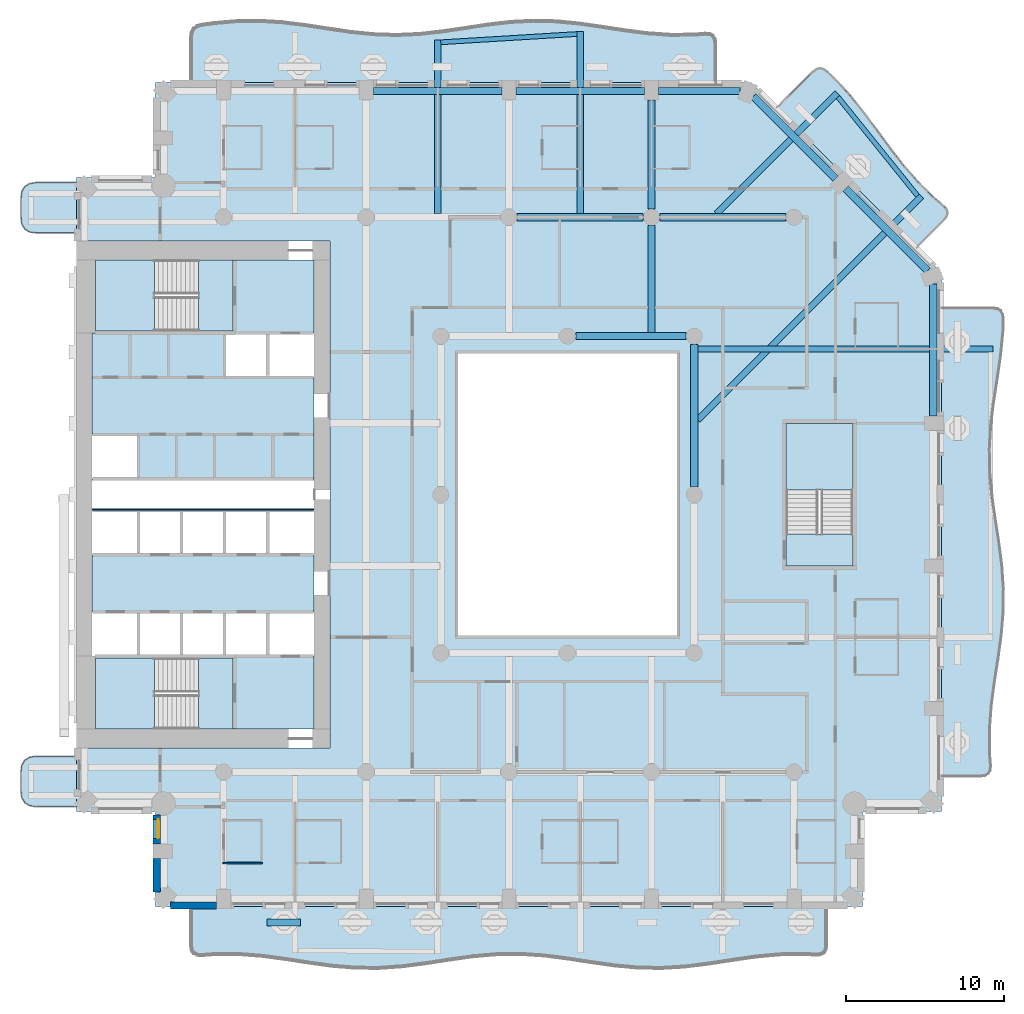
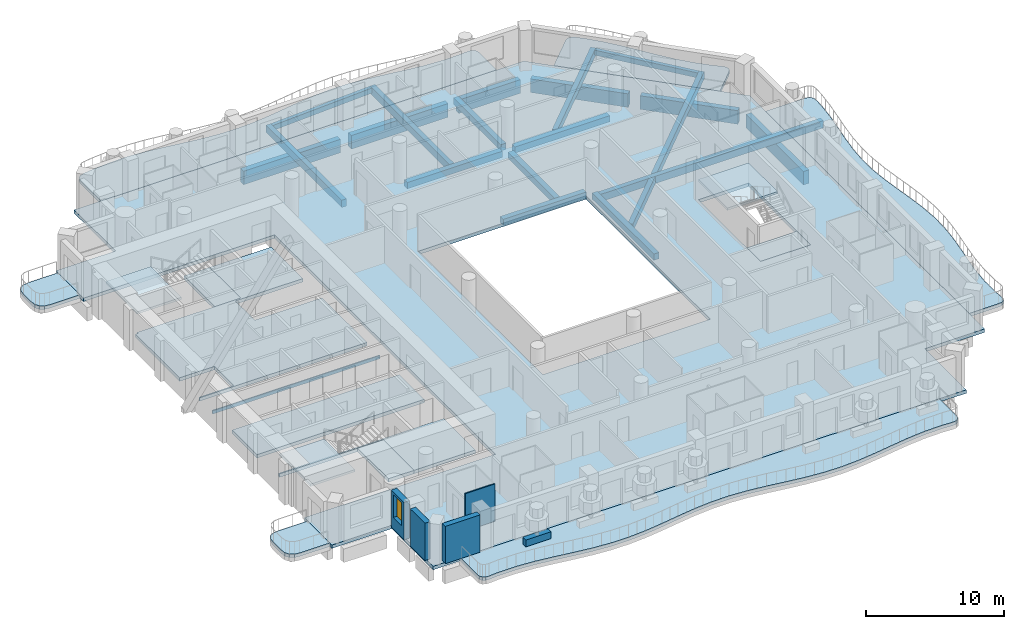
# One storey, part 2 of 21: 19 beams, 17 slabs, 5 walls, 1 window, 1 opening, 3 elements without a shape of their own.
"""IFC4 building model written with IfcOpenShell, lengths in metres."""

from ifc_helpers import new_model, si_unit, direction, frame, frame_2d, origin, origin_2d, place, context, subcontext, project, spatial, polyline, rectangle, outline, extrude, material, layer, layer_set, material_profile, profile_set, type_object, element, fill, aggregate, save


model = new_model("IFC4")

# Units and contexts
model_context = context("Model", 3, precision=1e-05, world=origin(), true_north=direction((0.0, 1.0)))
body_context = subcontext(model_context, "Body", "Model", "MODEL_VIEW")
ifc_project = project(units=[si_unit("LENGTHUNIT", "METRE"), si_unit("AREAUNIT", "SQUARE_METRE"), si_unit("VOLUMEUNIT", "CUBIC_METRE"), si_unit("PLANEANGLEUNIT", "RADIAN"), si_unit("MASSUNIT", "GRAM", prefix="KILO")], contexts=[model_context])

# Site, building, storey
site_placement = place(None, origin())
site = spatial("IfcSite", under=ifc_project, at=site_placement, CompositionType="ELEMENT")
building_placement = place(site_placement, origin())
building = spatial("IfcBuilding", under=site, at=building_placement, Name="Cypress Arch Tower", CompositionType="ELEMENT")
storey_placement = place(building_placement, frame((0.0, 0.0, 127.5)))
storey = spatial("IfcBuildingStorey", under=building, at=storey_placement, Name="L27", CompositionType="ELEMENT", Elevation=127.5)

# Beams
ifc_material_1 = material(Name="Concrete C50/60", Category="concrete")
ifc_material_profile_1 = material_profile(ifc_material_1, rectangle(XDim=0.300048828125, YDim=0.449951171875, at=origin_2d()), Name="RC 300x450")
ifc_profile_set_1 = profile_set([ifc_material_profile_1], Name="Concrete C50/60")
beam_type_1 = type_object("IfcBeamType", Name="Balcony edge beam RC 300x450 Concrete C50/60", PredefinedType="BEAM", material=ifc_profile_set_1)
beam_1_placement = place(storey_placement, frame((23.08642578125, 18.85693359375, -0.52490234375), z_axis=(-0.627602251631, 0.77853414424, 0.0), x_axis=(-0.77853414424, -0.627602251631, 0.0)))
element("IfcBeam", 1, at=beam_1_placement, inside=storey, type_object=beam_type_1, Name="Balcony edge beam L27 A07", PredefinedType="BEAM", context=body_context, shape_type="SweptSolid", body=[
    extrude(rectangle(XDim=0.300048828125, YDim=0.449951171875, at=origin_2d()), origin(), (0.0, 0.0, 1.0), 8.0068359375),
])
beam_2_placement = place(storey_placement, frame((1.60009765625, 29.06298828125, -0.52490234375), z_axis=(-0.998166629553, -0.060525859329, 0.0), x_axis=(0.060525859329, -0.998166629553, 0.0)))
element("IfcBeam", 2, at=beam_2_placement, inside=storey, type_object=beam_type_1, Name="Balcony edge beam L27 A08", PredefinedType="BEAM", context=body_context, shape_type="SweptSolid", body=[
    extrude(rectangle(XDim=0.300048828125, YDim=0.449951171875, at=origin_2d()), origin(), (0.0, 0.0, 1.0), 8.615966796875),
])
ifc_material_2 = material(Name="Concrete C50/60", Category="concrete")
ifc_material_profile_2 = material_profile(ifc_material_2, rectangle(XDim=0.39990234375, YDim=0.64990234375, at=origin_2d()), Name="RC 400x650")
ifc_profile_set_2 = profile_set([ifc_material_profile_2], Name="Concrete C50/60")
beam_type_2 = type_object("IfcBeamType", Name="Cantilever beam RC 400x650 Concrete C50/60", PredefinedType="BEAM", material=ifc_profile_set_2)
beam_3_placement = place(storey_placement, frame((9.22509765625, 9.18798828125, -0.625), z_axis=(1.0, 0.0, 0.0), x_axis=(0.0, 1.0, 0.0)))
element("IfcBeam", 3, at=beam_3_placement, inside=storey, type_object=beam_type_2, Name="Cantilever beam L27 A06 2", PredefinedType="BEAM", context=body_context, shape_type="SweptSolid", body=[
    extrude(rectangle(XDim=0.39990234375, YDim=0.64990234375, at=origin_2d()), origin(), (0.0, 0.0, 1.0), 18.62744140625),
])
beam_4_placement = place(storey_placement, frame((9.22509765625, 4.712890625, -0.625), z_axis=(0.707100663208, 0.707112899112, 0.0), x_axis=(-0.707112899112, 0.707100663208, 0.0)))
element("IfcBeam", 4, at=beam_4_placement, inside=storey, type_object=beam_type_2, Name="Cantilever beam L27 A07 1", PredefinedType="BEAM", context=body_context, shape_type="SweptSolid", body=[
    extrude(rectangle(XDim=0.39990234375, YDim=0.64990234375, at=origin_2d()), origin(), (0.0, 0.0, 1.0), 19.952880859375),
])
beam_5_placement = place(storey_placement, frame((10.412841796875, 17.72509765625, -0.625), z_axis=(0.707118119295, 0.707095442897, 0.0), x_axis=(-0.707095442897, 0.707118119295, 0.0)))
element("IfcBeam", 5, at=beam_5_placement, inside=storey, type_object=beam_type_2, Name="Cantilever beam L27 A07 2", PredefinedType="BEAM", context=body_context, shape_type="SweptSolid", body=[
    extrude(rectangle(XDim=0.39990234375, YDim=0.64990234375, at=origin_2d()), origin(), (0.0, 0.0, 1.0), 10.766357421875),
])
beam_6_placement = place(storey_placement, frame((1.800048828125, 17.72509765625, -0.625), z_axis=(0.0, 1.0, 0.0), x_axis=(-1.0, 0.0, 0.0)))
element("IfcBeam", 6, at=beam_6_placement, inside=storey, type_object=beam_type_2, Name="Cantilever beam L27 A08 1", PredefinedType="BEAM", context=body_context, shape_type="SweptSolid", body=[
    extrude(rectangle(XDim=0.39990234375, YDim=0.64990234375, at=origin_2d()), origin(), (0.0, 0.0, 1.0), 11.488037109375),
])
beam_7_placement = place(storey_placement, frame((-7.199951171875, 17.72509765625, -0.625), z_axis=(0.0, 1.0, 0.0), x_axis=(-1.0, 0.0, 0.0)))
element("IfcBeam", 7, at=beam_7_placement, inside=storey, type_object=beam_type_2, Name="Cantilever beam L27 A08 2", PredefinedType="BEAM", context=body_context, shape_type="SweptSolid", body=[
    extrude(rectangle(XDim=0.39990234375, YDim=0.64990234375, at=origin_2d()), origin(), (0.0, 0.0, 1.0), 10.96630859375),
])
ifc_material_3 = material(Name="Concrete C50/60", Category="concrete")
ifc_material_profile_3 = material_profile(ifc_material_3, rectangle(XDim=0.449951171875, YDim=0.550048828125, at=origin_2d()), Name="RC 450x550")
ifc_profile_set_3 = profile_set([ifc_material_profile_3], Name="Concrete C50/60")
beam_type_3 = type_object("IfcBeamType", Name="Floor beam RC 450x550 Concrete C50/60", PredefinedType="BEAM", material=ifc_profile_set_3)
beam_8_placement = place(storey_placement, frame((9.0, 0.52490234375, -0.574951171875), z_axis=(0.0, 1.0, 0.0), x_axis=(-1.0, 0.0, 0.0)))
element("IfcBeam", 8, at=beam_8_placement, inside=storey, type_object=beam_type_3, Name="Floor beam L27 RB004", PredefinedType="BEAM", context=body_context, shape_type="SweptSolid", body=[
    extrude(rectangle(XDim=0.449951171875, YDim=0.550048828125, at=origin_2d()), origin(), (0.0, 0.0, 1.0), 8.9501953125),
])
beam_9_placement = place(storey_placement, frame((1.52490234375, 10.0, -0.574951171875), z_axis=(1.0, 0.0, 0.0), x_axis=(0.0, 1.0, 0.0)))
element("IfcBeam", 9, at=beam_9_placement, inside=storey, type_object=beam_type_3, Name="Floor beam L27 RB008", PredefinedType="BEAM", context=body_context, shape_type="SweptSolid", body=[
    extrude(rectangle(XDim=0.449951171875, YDim=0.550048828125, at=origin_2d()), origin(), (0.0, 0.0, 1.0), 6.9501953125),
])
for number, where, z_axis, x_axis, name in (
    (10, (-2.175048828125, 17.5, -0.574951171875), (1.0, 0.0, 0.0), (0.0, 1.0, 0.0), "Floor beam L27 FB017"),
    (11, (6.824951171875, 17.5, -0.574951171875), (1.0, 0.0, 0.0), (0.0, 1.0, 0.0), "Floor beam L27 FB018"),
):
    element("IfcBeam", number, at=place(storey_placement, frame(where, z_axis=z_axis, x_axis=x_axis)), inside=storey, type_object=beam_type_3, Name=name, PredefinedType="BEAM", context=body_context, shape_type="SweptSolid", body=[
        extrude(rectangle(XDim=0.449951171875, YDim=0.550048828125, at=origin_2d()), origin(), (0.0, 0.0, 1.0), 7.949951171875),
    ])
beam_10_placement = place(storey_placement, frame((6.300048828125, 10.22509765625, -0.574951171875), z_axis=(0.0, 1.0, 0.0), x_axis=(-1.0, 0.0, 0.0)))
element("IfcBeam", 12, at=beam_10_placement, inside=storey, type_object=beam_type_3, Name="Floor beam L27 FB032", PredefinedType="BEAM", context=body_context, shape_type="SweptSolid", body=[
    extrude(rectangle(XDim=0.449951171875, YDim=0.550048828125, at=origin_2d()), origin(), (0.0, 0.0, 1.0), 6.75),
])
beam_11_placement = place(storey_placement, frame((6.300048828125, 18.02490234375, -0.574951171875), z_axis=(0.0, 1.0, 0.0), x_axis=(-1.0, 0.0, 0.0)))
element("IfcBeam", 13, at=beam_11_placement, inside=storey, type_object=beam_type_3, Name="Floor beam L27 FB033", PredefinedType="BEAM", context=body_context, shape_type="SweptSolid", body=[
    extrude(rectangle(XDim=0.449951171875, YDim=0.550048828125, at=origin_2d()), origin(), (0.0, 0.0, 1.0), 6.875),
])
ifc_material_4 = material(Name="Concrete C50/60", Category="concrete")
ifc_material_profile_4 = material_profile(ifc_material_4, rectangle(XDim=0.449951171875, YDim=1.199951171875, at=origin_2d()), Name="RC 450x1200")
ifc_profile_set_4 = profile_set([ifc_material_profile_4], Name="Concrete C50/60")
beam_type_4 = type_object("IfcBeamType", Name="Spandrel beam RC 450x1200 Concrete C50/60", PredefinedType="SPANDREL", material=ifc_profile_set_4)
beam_12_placement = place(storey_placement, frame((24.074951171875, 4.949951171875, -1.550048828125), z_axis=(0.0, 1.0, 0.0), x_axis=(-1.0, 0.0, 0.0)))
element("IfcBeam", 14, at=beam_12_placement, inside=storey, type_object=beam_type_4, Name="Spandrel beam L27 BA06-3", PredefinedType="SPANDREL", context=body_context, shape_type="SweptSolid", body=[
    extrude(rectangle(XDim=0.449951171875, YDim=1.199951171875, at=origin_2d()), origin(), (0.0, 0.0, 1.0), 8.345458984375),
])
for number, where, z_axis, x_axis, name in (
    (15, (23.73046875, 14.126953125, -1.550048828125), (-0.707106781187, 0.707106781187, 0.0), (-0.707106781187, -0.707106781187, 0.0), "Spandrel beam L27 BA07-0"),
    (16, (17.91064453125, 19.947021484375, -1.550048828125), (-0.707106781187, 0.707106781187, 0.0), (-0.707106781187, -0.707106781187, 0.0), "Spandrel beam L27 BA07-1"),
):
    element("IfcBeam", number, at=place(storey_placement, frame(where, z_axis=z_axis, x_axis=x_axis)), inside=storey, type_object=beam_type_4, Name=name, PredefinedType="SPANDREL", context=body_context, shape_type="SweptSolid", body=[
        extrude(rectangle(XDim=0.449951171875, YDim=1.199951171875, at=origin_2d()), origin(), (0.0, 0.0, 1.0), 7.330810546875),
    ])
beam_13_placement = place(storey_placement, frame((11.8955078125, 25.47509765625, -1.550048828125), z_axis=(-1.0, 0.0, 0.0), x_axis=(0.0, -1.0, 0.0)))
element("IfcBeam", 17, at=beam_13_placement, inside=storey, type_object=beam_type_4, Name="Spandrel beam L27 BA08-0", PredefinedType="SPANDREL", context=body_context, shape_type="SweptSolid", body=[
    extrude(rectangle(XDim=0.449951171875, YDim=1.199951171875, at=origin_2d()), origin(), (0.0, 0.0, 1.0), 5.1455078125),
])
for number, where, z_axis, x_axis, name in (
    (18, (5.85009765625, 25.47509765625, -1.550048828125), (-1.0, 0.0, 0.0), (0.0, -1.0, 0.0), "Spandrel beam L27 BA08-1"),
    (19, (-3.14990234375, 25.47509765625, -1.550048828125), (-1.0, 0.0, 0.0), (0.0, -1.0, 0.0), "Spandrel beam L27 BA08-2"),
):
    element("IfcBeam", number, at=place(storey_placement, frame(where, z_axis=z_axis, x_axis=x_axis)), inside=storey, type_object=beam_type_4, Name=name, PredefinedType="SPANDREL", context=body_context, shape_type="SweptSolid", body=[
        extrude(rectangle(XDim=0.449951171875, YDim=1.199951171875, at=origin_2d()), origin(), (0.0, 0.0, 1.0), 8.10009765625),
    ])

# Slabs
ifc_material_5 = material(Name="Concrete C40/50", Category="concrete")
ifc_layer_1 = layer(ifc_material_5, 0.300048828125)
ifc_layer_set_1 = layer_set([ifc_layer_1], Name="Balcony slab BS300")
slab_type_1 = type_object("IfcSlabType", Name="Balcony slab BS300", PredefinedType="USERDEFINED", material=ifc_layer_set_1)
slab_1_placement = place(storey_placement, frame((0.0, 0.0, -0.300048828125)))
element("IfcSlab", 20, at=slab_1_placement, inside=storey, type_object=slab_type_1, Name="Balcony slab L27-A00W0", ObjectType="BALCONY SLAB", PredefinedType="USERDEFINED", context=body_context, shape_type="SweptSolid", body=[
    extrude(outline(polyline([(-30.0, 19.699951171875), (-32.5, 19.699951171875), (-32.9375, 19.637451171875), (-33.25, 19.449951171875), (-33.4375, 19.137451171875), (-33.5, 18.699951171875), (-33.5, 17.5), (-33.4375, 17.0625), (-33.25, 16.75), (-32.9375, 16.5625), (-32.5, 16.5), (-30.0, 16.5), (-30.0, 19.699951171875)])), origin(), (0.0, 0.0, 1.0), 0.300048828125),
])
slab_2_placement = place(storey_placement, frame((0.0, 0.0, -0.300048828125)))
element("IfcSlab", 21, at=slab_2_placement, inside=storey, type_object=slab_type_1, Name="Balcony slab L27-A00W1", ObjectType="BALCONY SLAB", PredefinedType="USERDEFINED", context=body_context, shape_type="SweptSolid", body=[
    extrude(outline(polyline([(-30.0, -16.5), (-32.5, -16.5), (-32.9375, -16.5625), (-33.25, -16.75), (-33.4375, -17.0625), (-33.5, -17.5), (-33.5, -18.699951171875), (-33.4375, -19.137451171875), (-33.25, -19.449951171875), (-32.9375, -19.637451171875), (-32.5, -19.699951171875), (-30.0, -19.699951171875), (-30.0, -16.5)])), origin(), (0.0, 0.0, 1.0), 0.300048828125),
])
slab_3_placement = place(storey_placement, frame((0.0, 0.0, -0.300048828125)))
element("IfcSlab", 22, at=slab_3_placement, inside=storey, type_object=slab_type_1, Name="Balcony slab L27-A03", ObjectType="BALCONY SLAB", PredefinedType="USERDEFINED", context=body_context, shape_type="SweptSolid", body=[
    extrude(outline(polyline([(-22.75, -26.0), (-22.75, -28.46142578125), (-22.708251953125, -28.75146484375), (-22.5830078125, -28.951171875), (-22.3740234375, -29.060546875), (-22.081787109375, -29.07958984375), (-21.264892578125, -29.015869140625), (-19.779541015625, -29.01416015625), (-18.29443359375, -29.126953125), (-16.809326171875, -29.324462890625), (-15.323974609375, -29.55517578125), (-13.8388671875, -29.758056640625), (-12.353759765625, -29.880126953125), (-10.868408203125, -29.88916015625), (-9.38330078125, -29.78271484375), (-7.898193359375, -29.5888671875), (-6.412841796875, -29.3583984375), (-4.927734375, -29.152099609375), (-3.442626953125, -29.024169921875), (-1.95751953125, -29.008056640625), (-0.47216796875, -29.108154296875), (1.012939453125, -29.298095703125), (2.498046875, -29.52783203125), (3.9833984375, -29.7373046875), (5.468505859375, -29.87109375), (6.95361328125, -29.894287109375), (8.43896484375, -29.80078125), (9.924072265625, -29.614990234375), (11.4091796875, -29.385986328125), (12.89453125, -29.173583984375), (14.379638671875, -29.033935546875), (15.86474609375, -29.003662109375), (16.681640625, -29.051513671875), (16.97412109375, -29.02685546875), (17.182861328125, -28.91357421875), (17.308349609375, -28.711669921875), (17.35009765625, -28.421142578125), (17.35009765625, -26.0), (-22.75, -26.0)])), origin(), (0.0, 0.0, 1.0), 0.300048828125),
])
slab_4_placement = place(storey_placement, frame((0.0, 0.0, -0.300048828125)))
element("IfcSlab", 23, at=slab_4_placement, inside=storey, type_object=slab_type_1, Name="Balcony slab L27-A06", ObjectType="BALCONY SLAB", PredefinedType="USERDEFINED", context=body_context, shape_type="SweptSolid", body=[
    extrude(outline(polyline([(24.60009765625, -17.75), (27.06591796875, -17.75), (27.35400390625, -17.70849609375), (27.552490234375, -17.583984375), (27.660888671875, -17.376708984375), (27.679931640625, -17.086181640625), (27.616455078125, -16.27490234375), (27.61328125, -14.800048828125), (27.7236328125, -13.324951171875), (27.91845703125, -11.85009765625), (28.1474609375, -10.375), (28.35107421875, -8.89990234375), (28.476806640625, -7.425048828125), (28.49169921875, -5.949951171875), (28.39208984375, -4.47509765625), (28.203857421875, -3.0), (27.975830078125, -1.52490234375), (27.766845703125, -0.050048828125), (27.63134765625, 1.425048828125), (27.6044921875, 2.89990234375), (27.69287109375, 4.375), (27.874267578125, 5.85009765625), (28.100830078125, 7.324951171875), (28.314453125, 8.800048828125), (28.45947265625, 10.27490234375), (28.480712890625, 11.086181640625), (28.447021484375, 11.376708984375), (28.327880859375, 11.583984375), (28.123779296875, 11.70849609375), (27.834228515625, 11.75), (24.60009765625, 11.75), (24.60009765625, -17.75)])), origin(), (0.0, 0.0, 1.0), 0.300048828125),
])
slab_5_placement = place(storey_placement, frame((0.0, 0.0, -0.300048828125)))
element("IfcSlab", 24, at=slab_5_placement, inside=storey, type_object=slab_type_1, Name="Balcony slab L27-A07", ObjectType="BALCONY SLAB", PredefinedType="USERDEFINED", context=body_context, shape_type="SweptSolid", body=[
    extrude(outline(polyline([(23.009033203125, 15.591064453125), (24.78125, 17.36328125), (24.945068359375, 17.58203125), (24.993896484375, 17.79638671875), (24.927978515625, 18.005859375), (24.7470703125, 18.2109375), (24.1650390625, 18.70654296875), (23.176025390625, 19.677001953125), (22.259033203125, 20.719482421875), (21.399169921875, 21.8193359375), (20.5693359375, 22.94921875), (19.735107421875, 24.074462890625), (18.86279296875, 25.16162109375), (17.927978515625, 26.1865234375), (17.373779296875, 26.7099609375), (17.147705078125, 26.869873046875), (16.92333984375, 26.9208984375), (16.700439453125, 26.863525390625), (16.479248046875, 26.697265625), (14.19091796875, 24.408935546875), (23.009033203125, 15.591064453125)])), origin(), (0.0, 0.0, 1.0), 0.300048828125),
])
slab_6_placement = place(storey_placement, frame((0.0, 0.0, -0.300048828125)))
element("IfcSlab", 25, at=slab_6_placement, inside=storey, type_object=slab_type_1, Name="Balcony slab L27-A08", ObjectType="BALCONY SLAB", PredefinedType="USERDEFINED", context=body_context, shape_type="SweptSolid", body=[
    extrude(outline(polyline([(10.35009765625, 26.0), (10.35009765625, 28.482177734375), (10.3095703125, 28.76318359375), (10.18798828125, 28.95654296875), (9.98583984375, 29.062255859375), (9.702392578125, 29.08056640625), (8.910888671875, 29.017822265625), (7.4716796875, 29.0107421875), (6.03271484375, 29.112060546875), (4.593505859375, 29.297119140625), (3.154296875, 29.519775390625), (1.71533203125, 29.72509765625), (0.276123046875, 29.862548828125), (-1.1630859375, 29.898193359375), (-2.602294921875, 29.822998046875), (-4.041259765625, 29.655517578125), (-5.48046875, 29.437255859375), (-6.919677734375, 29.222412109375), (-8.358642578125, 29.0634765625), (-9.7978515625, 29.000244140625), (-11.237060546875, 29.048095703125), (-12.676025390625, 29.1953125), (-14.115234375, 29.4052734375), (-15.554443359375, 29.62646484375), (-16.993408203125, 29.803955078125), (-18.4326171875, 29.89404296875), (-19.871826171875, 29.874267578125), (-21.310791015625, 29.749755859375), (-22.102294921875, 29.640625), (-22.3857421875, 29.560546875), (-22.588134765625, 29.41015625), (-22.70947265625, 29.18896484375), (-22.75, 28.8974609375), (-22.75, 26.0), (10.35009765625, 26.0)])), origin(), (0.0, 0.0, 1.0), 0.300048828125),
])
ifc_material_6 = material(Name="Concrete C40/50", Category="concrete")
ifc_layer_2 = layer(ifc_material_6, 0.300048828125)
ifc_layer_set_2 = layer_set([ifc_layer_2], Name="Core floor CF300")
slab_type_2 = type_object("IfcSlabType", Name="Core floor CF300", PredefinedType="FLOOR", material=ifc_layer_set_2)
slab_7_placement = place(storey_placement, frame((0.0, 0.0, -0.300048828125)))
element("IfcSlab", 26, at=slab_7_placement, inside=storey, type_object=slab_type_2, Name="Core floor", PredefinedType="FLOOR", context=body_context, shape_type="SweptSolid", body=[
    extrude(outline(polyline([(-20.125, -14.800048828125), (-15.0, -14.800048828125), (-15.0, -10.199951171875), (-17.919921875, -10.199951171875), (-20.639892578125, -10.199951171875), (-23.360107421875, -10.199951171875), (-26.080078125, -10.199951171875), (-28.800048828125, -10.199951171875), (-28.800048828125, -10.324951171875), (-22.27490234375, -10.324951171875), (-20.125, -10.324951171875), (-20.125, -14.800048828125)])), origin(), (0.0, 0.0, 1.0), 0.300048828125),
])
slab_8_placement = place(storey_placement, frame((0.0, 0.0, -0.300048828125)))
element("IfcSlab", 27, at=slab_8_placement, inside=storey, type_object=slab_type_2, Name="Core floor", PredefinedType="FLOOR", context=body_context, shape_type="SweptSolid", body=[
    extrude(outline(polyline([(-29.0, -3.800048828125), (-29.0, -7.39990234375), (-26.080078125, -7.39990234375), (-23.360107421875, -7.39990234375), (-20.639892578125, -7.39990234375), (-17.919921875, -7.39990234375), (-15.0, -7.39990234375), (-15.0, -3.800048828125), (-17.919921875, -3.800048828125), (-20.639892578125, -3.800048828125), (-23.360107421875, -3.800048828125), (-26.080078125, -3.800048828125), (-29.0, -3.800048828125)])), origin(), (0.0, 0.0, 1.0), 0.300048828125),
])
slab_9_placement = place(storey_placement, frame((0.0, 0.0, -0.300048828125)))
element("IfcSlab", 28, at=slab_9_placement, inside=storey, type_object=slab_type_2, Name="Core floor", PredefinedType="FLOOR", context=body_context, shape_type="SweptSolid", body=[
    extrude(outline(polyline([(-29.0, 3.800048828125), (-29.0, 10.199951171875), (-28.800048828125, 10.199951171875), (-28.800048828125, 10.324951171875), (-28.60009765625, 10.324951171875), (-22.27490234375, 10.324951171875), (-20.125, 10.324951171875), (-20.125, 14.800048828125), (-15.39990234375, 14.800048828125), (-15.0, 14.800048828125), (-15.0, 10.199951171875), (-15.39990234375, 10.199951171875), (-17.919921875, 10.199951171875), (-20.639892578125, 10.199951171875), (-20.639892578125, 7.39990234375), (-17.919921875, 7.39990234375), (-15.39990234375, 7.39990234375), (-15.0, 7.39990234375), (-15.0, 0.89990234375), (-28.60009765625, 0.89990234375), (-29.0, 0.89990234375), (-29.0, 1.0), (-28.60009765625, 1.0), (-26.080078125, 1.0), (-26.080078125, 3.800048828125), (-28.60009765625, 3.800048828125), (-29.0, 3.800048828125)])), origin(), (0.0, 0.0, 1.0), 0.300048828125),
])
slab_10_placement = place(storey_placement, frame((0.0, 0.0, -0.300048828125)))
element("IfcSlab", 29, at=slab_10_placement, inside=storey, type_object=slab_type_2, Name="Core floor", PredefinedType="FLOOR", context=body_context, shape_type="SweptSolid", body=[
    extrude(outline(polyline([(-22.27490234375, -10.324951171875), (-22.27490234375, -14.800048828125), (-20.125, -14.800048828125), (-20.125, -10.324951171875), (-22.27490234375, -10.324951171875)])), origin(), (0.0, 0.0, 1.0), 0.300048828125),
])
slab_11_placement = place(storey_placement, frame((0.0, 0.0, -0.300048828125)))
element("IfcSlab", 30, at=slab_11_placement, inside=storey, type_object=slab_type_2, Name="Core floor", PredefinedType="FLOOR", context=body_context, shape_type="SweptSolid", body=[
    extrude(outline(polyline([(-20.125, 14.800048828125), (-22.27490234375, 14.800048828125), (-22.27490234375, 10.324951171875), (-20.125, 10.324951171875), (-20.125, 14.800048828125)])), origin(), (0.0, 0.0, 1.0), 0.300048828125),
])
slab_12_placement = place(storey_placement, frame((0.0, 0.0, -0.300048828125)))
element("IfcSlab", 31, at=slab_12_placement, inside=storey, type_object=slab_type_2, Name="Stair floor landing", PredefinedType="FLOOR", context=body_context, shape_type="SweptSolid", body=[
    extrude(outline(polyline([(19.0, -4.5), (19.0, -2.5), (14.800048828125, -2.5), (14.800048828125, -4.5), (19.0, -4.5)])), origin(), (0.0, 0.0, 1.0), 0.300048828125),
])
slab_13_placement = place(storey_placement, frame((0.0, 0.0, -0.300048828125)))
element("IfcSlab", 32, at=slab_13_placement, inside=storey, type_object=slab_type_2, Name="Core floor", PredefinedType="FLOOR", context=body_context, shape_type="SweptSolid", body=[
    extrude(outline(polyline([(-20.639892578125, -1.0), (-23.360107421875, -1.0), (-26.080078125, -1.0), (-28.60009765625, -1.0), (-29.0, -1.0), (-29.0, -0.89990234375), (-28.60009765625, -0.89990234375), (-15.39990234375, -0.89990234375), (-15.0, -0.89990234375), (-15.0, -1.0), (-15.39990234375, -1.0), (-17.919921875, -1.0), (-20.639892578125, -1.0)])), origin(), (0.0, 0.0, 1.0), 0.300048828125),
])
ifc_material_7 = material(Name="Concrete C40/50", Category="concrete")
ifc_layer_3 = layer(ifc_material_7, 0.300048828125)
ifc_layer_set_3 = layer_set([ifc_layer_3], Name="PT flat slab 300 Concrete C40/50")
slab_type_3 = type_object("IfcSlabType", Name="PT flat slab 300 Concrete C40/50", PredefinedType="FLOOR", material=ifc_layer_set_3)
slab_14_placement = place(storey_placement, frame((0.0, 0.0, -0.300048828125)))
element("IfcSlab", 33, at=slab_14_placement, inside=storey, type_object=slab_type_3, Name="Floor slab L27", PredefinedType="FLOOR", context=body_context, shape_type="SweptSolid", body=[
    extrude(outline(polyline([(-30.0, 20.0), (-25.0, 20.0), (-25.0, 26.0), (12.60009765625, 26.0), (24.60009765625, 14.0), (24.60009765625, -20.0), (19.60009765625, -20.0), (19.60009765625, -26.0), (-25.0, -26.0), (-25.0, -20.0), (-30.0, -20.0), (-30.0, -16.0), (-14.0, -16.0), (-14.0, 16.0), (-30.0, 16.0), (-30.0, 20.0)]), holes=[polyline([(-6.0, -9.0), (8.0, -9.0), (8.0, 9.0), (-6.0, 9.0), (-6.0, -9.0)]), polyline([(14.800048828125, -4.5), (19.0, -4.5), (19.0, 4.5), (14.800048828125, 4.5), (14.800048828125, -4.5)])]), origin(), (0.0, 0.0, 1.0), 0.300048828125),
])

# Stair, slab
ifc_material_8 = material(Name="Concrete C40/50", Category="concrete")
stair_type_1 = type_object("IfcStairType", Name="Exit stair ES1636-215", PredefinedType="HALF_TURN_STAIR", material=ifc_material_8)
stair_1_placement = place(storey_placement, origin())
stair_1 = element("IfcStair", 34, at=stair_1_placement, inside=storey, type_object=stair_type_1, Name="L27 Exit stair A", PredefinedType="HALF_TURN_STAIR")
ifc_material_9 = material(Name="Concrete C40/50", Category="concrete")
ifc_layer_4 = layer(ifc_material_9, 0.199951171875)
ifc_layer_set_4 = layer_set([ifc_layer_4], Name="Stair landing SL200")
slab_type_4 = type_object("IfcSlabType", Name="Stair landing SL200", PredefinedType="LANDING", material=ifc_layer_set_4)
slab_15_placement = place(storey_placement, frame((0.0, 0.0, 1.60009765625)))
slab_15 = element("IfcSlab", 35, at=slab_15_placement, type_object=slab_type_4, Name="A landing 1", PredefinedType="LANDING", context=body_context, shape_type="SweptSolid", body=[
    extrude(outline(polyline([(-25.074951171875, -10.324951171875), (-28.800048828125, -10.324951171875), (-28.800048828125, -14.800048828125), (-25.074951171875, -14.800048828125), (-25.074951171875, -10.324951171875)])), origin(), (0.0, 0.0, 1.0), 0.199951171875),
])
aggregate(stair_1, [slab_15])

stair_2_placement = place(storey_placement, origin())
stair_2 = element("IfcStair", 36, at=stair_2_placement, inside=storey, type_object=stair_type_1, Name="L27 Exit stair B", PredefinedType="HALF_TURN_STAIR")
slab_16_placement = place(storey_placement, frame((0.0, 0.0, 1.60009765625)))
slab_16 = element("IfcSlab", 37, at=slab_16_placement, type_object=slab_type_4, Name="B landing 1", PredefinedType="LANDING", context=body_context, shape_type="SweptSolid", body=[
    extrude(outline(polyline([(-25.074951171875, 14.800048828125), (-28.800048828125, 14.800048828125), (-28.800048828125, 10.324951171875), (-25.074951171875, 10.324951171875), (-25.074951171875, 14.800048828125)])), origin(), (0.0, 0.0, 1.0), 0.199951171875),
])
aggregate(stair_2, [slab_16])

ifc_material_10 = material(Name="Concrete C40/50", Category="concrete")
stair_type_2 = type_object("IfcStairType", Name="Exit stair ES1636-200", PredefinedType="HALF_TURN_STAIR", material=ifc_material_10)
stair_3_placement = place(storey_placement, origin())
stair_3 = element("IfcStair", 38, at=stair_3_placement, inside=storey, type_object=stair_type_2, Name="L27 Exit stair C", PredefinedType="HALF_TURN_STAIR")
slab_17_placement = place(storey_placement, frame((0.0, 0.0, 1.60009765625)))
slab_17 = element("IfcSlab", 39, at=slab_17_placement, type_object=slab_type_4, Name="C landing 1", PredefinedType="LANDING", context=body_context, shape_type="SweptSolid", body=[
    extrude(outline(polyline([(19.0, 0.300048828125), (19.0, 4.5), (14.800048828125, 4.5), (14.800048828125, 0.300048828125), (19.0, 0.300048828125)])), origin(), (0.0, 0.0, 1.0), 0.199951171875),
])
aggregate(stair_3, [slab_17])

# Wall
ifc_material_11 = material(Name="Concrete C40/50, waterproofed", Category="concrete")
ifc_layer_5 = layer(ifc_material_11, 0.449951171875)
ifc_layer_set_5 = layer_set([ifc_layer_5], Name="Balcony planter wall PW450")
wall_type_1 = type_object("IfcWallType", Name="Balcony planter wall PW450", PredefinedType="SOLIDWALL", material=ifc_layer_set_5)
wall_1_placement = place(storey_placement, frame((-17.949951171875, -27.0, 0.0), z_axis=(0.0, 0.0, 1.0), x_axis=(1.0, 0.0, 0.0)))
element("IfcWall", 40, at=wall_1_placement, inside=storey, type_object=wall_type_1, Name="Balcony planter wall L27-A03.1", PredefinedType="SOLIDWALL", context=body_context, shape_type="SweptSolid", body=[
    extrude(rectangle(XDim=2.099853515625, YDim=0.449951171875, at=frame_2d((1.0498046875, 0.0))), origin(), (0.0, 0.0, 1.0), 0.60009765625),
])

# Wall, opening, window
ifc_material_12 = material(Name="Brick (red buff blend)", Category="masonry")
ifc_layer_6 = layer(ifc_material_12, 0.449951171875)
ifc_layer_set_6 = layer_set([ifc_layer_6], Name="Brick pier and spandrel wall BW450")
wall_type_2 = type_object("IfcWallType", Name="Brick pier and spandrel wall BW450", PredefinedType="SOLIDWALL", material=ifc_layer_set_6)
wall_2_placement = place(storey_placement, frame((-24.925048828125, -20.20703125, 0.0), z_axis=(0.0, 0.0, 1.0), x_axis=(0.0, -1.0, 0.0)))
wall_2 = element("IfcWall", 41, at=wall_2_placement, inside=storey, type_object=wall_type_2, Name="Brick wall L27 A02.0", PredefinedType="SOLIDWALL", context=body_context, shape_type="SweptSolid", body=[
    extrude(rectangle(XDim=1.843017578125, YDim=0.449951171875, at=frame_2d((0.92138671875, 0.0))), origin(), (0.0, 0.0, 1.0), 3.300048828125),
])
opening_placement = place(wall_2_placement, frame((0.29296875, 0.0, 1.050048828125)))
opening = element("IfcOpeningElement", 42, at=opening_placement, cuts=wall_2, Name="Opening W120H", PredefinedType="OPENING", context=body_context, shape_type="SweptSolid", body=[
    extrude(rectangle(XDim=1.199951171875, YDim=2.0, at=frame_2d((0.60009765625, 1.0))), frame((0.0, 0.23486328125, 0.0), z_axis=(0.0, -1.0, 0.0), x_axis=(1.0, 0.0, 0.0)), (0.0, 0.0, 1.0), 0.469970703125),
])
ifc_material_13 = material(Name="Anodised aluminium, bronze finish, clear low-emissivity double glazing", Category="aluminium")
window_type = type_object("IfcWindowType", Name="Window Hotel 1200x2000", PartitioningType="SINGLE_PANEL", PredefinedType="WINDOW", material=ifc_material_13)
window_placement = place(opening_placement, origin())
window = element("IfcWindow", 43, at=window_placement, inside=storey, type_object=window_type, Name="Window L27 A02.0.1", OverallHeight=2.0, OverallWidth=1.199951171875, PartitioningType="SINGLE_PANEL", PredefinedType="WINDOW", context=body_context, shape_type="SweptSolid", body=[
    extrude(rectangle(XDim=1.199951171875, YDim=2.0, at=frame_2d((0.60009765625, 1.0))), frame((0.0, 0.135009765625, 0.0), z_axis=(0.0, -1.0, 0.0), x_axis=(1.0, 0.0, 0.0)), (0.0, 0.0, 1.0), 0.06005859375),
])
fill(opening, window)

# Walls
wall_3_placement = place(storey_placement, frame((-24.925048828125, -22.949951171875, 0.0), z_axis=(0.0, 0.0, 1.0), x_axis=(0.0, -1.0, 0.0)))
element("IfcWall", 44, at=wall_3_placement, inside=storey, type_object=wall_type_2, Name="Brick wall L27 A02.1", PredefinedType="SOLIDWALL", context=body_context, shape_type="SweptSolid", body=[
    extrude(rectangle(XDim=2.11376953125, YDim=0.449951171875, at=frame_2d((1.056884765625, 0.0))), origin(), (0.0, 0.0, 1.0), 3.300048828125),
])
wall_4_placement = place(storey_placement, frame((-24.063720703125, -25.925048828125, 0.0), z_axis=(0.0, 0.0, 1.0), x_axis=(1.0, 0.0, 0.0)))
element("IfcWall", 45, at=wall_4_placement, inside=storey, type_object=wall_type_2, Name="Brick wall L27 A03.0", PredefinedType="SOLIDWALL", context=body_context, shape_type="SweptSolid", body=[
    extrude(rectangle(XDim=2.913818359375, YDim=0.449951171875, at=frame_2d((1.45703125, 0.0))), origin(), (0.0, 0.0, 1.0), 3.300048828125),
])
ifc_material_14 = material(Name="Moisture resistant board on steel studs, tiled", Category="steel")
ifc_layer_7 = layer(ifc_material_14, 0.10009765625)
ifc_layer_set_7 = layer_set([ifc_layer_7], Name="Wet wall PW100")
wall_type_3 = type_object("IfcWallType", Name="Wet wall PW100", PredefinedType="PARTITIONING", material=ifc_layer_set_7)
wall_5_placement = place(storey_placement, frame((-20.75, -23.25, 0.0), z_axis=(0.0, 0.0, 1.0), x_axis=(1.0, 0.0, 0.0)))
element("IfcWall", 46, at=wall_5_placement, inside=storey, type_object=wall_type_3, Name="Wet wall", PredefinedType="PARTITIONING", context=body_context, shape_type="SweptSolid", body=[
    extrude(rectangle(XDim=2.5, YDim=0.10009765625, at=frame_2d((1.25, 0.0))), origin(), (0.0, 0.0, 1.0), 3.300048828125),
])

save(model, "model.ifc")
